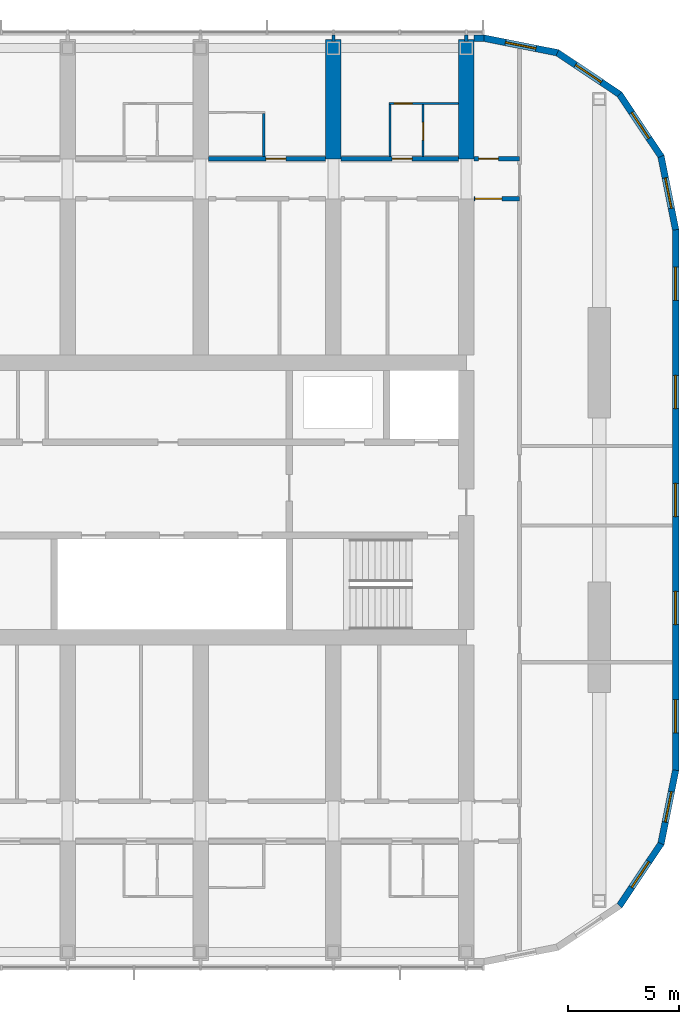
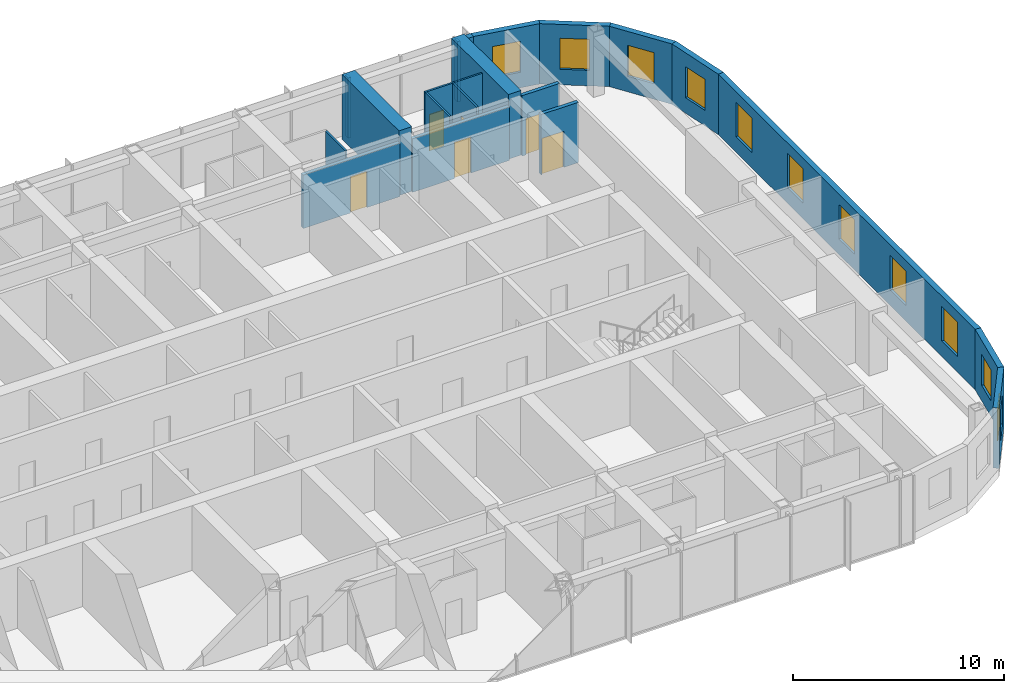
# One storey, part 19 of 26: 20 walls, 11 windows, 6 doors, 17 openings.
"""IFC4 building model written with IfcOpenShell, lengths in metres."""

import ifcopenshell
import ifcopenshell.guid

model = None  # the IFC model being written
_history = None  # IfcOwnerHistory: only IFC2X3 demands one
_inside = {}  # id of a spatial element -> (the spatial element, [elements in it])
_under = {}  # id of a project, library or spatial element -> (it, [spatial elements below it])
_declared = {}  # id of a project -> (the project, [libraries it declares])
_typed = {}  # id of a type object -> (the type object, [elements of that type])
_made_of = {}  # id of a material, layer set ... -> (it, [elements and type objects made of it])


def new_model(schema):
    """Start an empty IFC model of exactly this schema.

    Asked for "IFC4X3", IfcOpenShell would pick the latest addendum, in which some entities
    have other attributes; the version numbers below select the first issue.
    IFC2X3 requires an IfcOwnerHistory on every rooted entity: one is made here for all.
    """
    global model, _history
    if schema == "IFC4X3":
        model = ifcopenshell.file(schema_version=(4, 3, 0, 0))
    else:
        model = ifcopenshell.file(schema=schema)
    _inside.clear()
    _under.clear()
    _declared.clear()
    _typed.clear()
    _made_of.clear()
    _history = None
    if model.schema == "IFC2X3":
        org = make("IfcOrganization", Name="unknown")
        user = make(
            "IfcPersonAndOrganization",
            ThePerson=make("IfcPerson", FamilyName="unknown"),
            TheOrganization=org,
        )
        app = make(
            "IfcApplication",
            ApplicationDeveloper=org,
            Version="unknown",
            ApplicationFullName="unknown",
            ApplicationIdentifier="unknown",
        )
        _history = make(
            "IfcOwnerHistory",
            OwningUser=user,
            OwningApplication=app,
            ChangeAction="ADDED",
            CreationDate=0,
        )
    return model


def make(cls, **values):
    """One entity of the class cls with the attributes given. An attribute that is None is left unset."""
    return model.create_entity(
        cls, **{name: value for name, value in values.items() if value is not None}
    )


def rooted(cls, **values):
    """An entity with a GlobalId (a new one), such as an element, a storey or a relation."""
    return make(cls, GlobalId=ifcopenshell.guid.new(), OwnerHistory=_history, **values)


def si_unit(unit_type, name, prefix=None):
    """IfcSIUnit, for example si_unit("LENGTHUNIT", "METRE", prefix="MILLI")."""
    return make("IfcSIUnit", UnitType=unit_type, Prefix=prefix, Name=name)


def assignment(units):
    """IfcUnitAssignment: the units of a project."""
    return None if units is None else make("IfcUnitAssignment", Units=units)


def point(xyz):
    """IfcCartesianPoint."""
    return None if xyz is None else make("IfcCartesianPoint", Coordinates=xyz)


def direction(xyz):
    """IfcDirection."""
    return None if xyz is None else make("IfcDirection", DirectionRatios=xyz)


def frame(location, z_axis=None, x_axis=None):
    """IfcAxis2Placement3D, a coordinate frame: its origin and axes. An axis left out is left unset."""
    return make(
        "IfcAxis2Placement3D",
        Location=point(location),
        Axis=direction(z_axis),
        RefDirection=direction(x_axis),
    )


def frame_2d(location, x_axis=None):
    """IfcAxis2Placement2D, a coordinate frame in the plane: its origin and x axis."""
    return make(
        "IfcAxis2Placement2D", Location=point(location), RefDirection=direction(x_axis)
    )


def origin():
    """The frame at (0, 0, 0) with its axes left unset."""
    return frame((0.0, 0.0, 0.0))


def place(relative_to, where):
    """IfcLocalPlacement: puts the frame where relative to a parent placement (None: the world)."""
    return make(
        "IfcLocalPlacement", PlacementRelTo=relative_to, RelativePlacement=where
    )


def context(
    kind, dimensions, precision=None, world=None, true_north=None, identifier=None
):
    """IfcGeometricRepresentationContext, for example the 3D "Model" context."""
    return make(
        "IfcGeometricRepresentationContext",
        ContextIdentifier=identifier,
        ContextType=kind,
        CoordinateSpaceDimension=dimensions,
        Precision=precision,
        WorldCoordinateSystem=world,
        TrueNorth=true_north,
    )


def subcontext(parent, identifier, kind, view, scale=None):
    """IfcGeometricRepresentationSubContext, for example "Body" below "Model"."""
    return make(
        "IfcGeometricRepresentationSubContext",
        ContextIdentifier=identifier,
        ContextType=kind,
        ParentContext=parent,
        TargetScale=scale,
        TargetView=view,
    )


def project(units=None, contexts=None):
    """IfcProject with its units and contexts."""
    return rooted(
        "IfcProject",
        Name="project",
        RepresentationContexts=contexts,
        UnitsInContext=assignment(units),
    )


def spatial(cls, under=None, at=None, **own):
    """A site, building, storey or space (cls), placed at a placement, below another one or the project."""
    s = rooted(cls, ObjectPlacement=at, **own)
    if under is not None:
        _under.setdefault(under.id(), (under, []))[1].append(s)
    return s


def polyline(points):
    """IfcPolyline through the points."""
    return make("IfcPolyline", Points=[point(p) for p in points])


def profile(cls, at=None, kind="AREA", **sizes):
    """A parametric profile (cls). Its sizes go by their IFC names, for example OverallWidth=200.0."""
    return make(cls, ProfileType=kind, Position=at, **sizes)


def rectangle(**sizes):
    """IfcRectangleProfileDef."""
    return profile("IfcRectangleProfileDef", **sizes)


def outline(outer, holes=None, kind="AREA"):
    """IfcArbitraryClosedProfileDef: a profile drawn as a closed curve; with holes, ...WithVoids."""
    if holes is None:
        return make("IfcArbitraryClosedProfileDef", ProfileType=kind, OuterCurve=outer)
    return make(
        "IfcArbitraryProfileDefWithVoids",
        ProfileType=kind,
        OuterCurve=outer,
        InnerCurves=holes,
    )


def extrude(swept, where, along, depth):
    """IfcExtrudedAreaSolid: the profile swept, set in the frame where, extruded along a direction by depth."""
    return make(
        "IfcExtrudedAreaSolid",
        SweptArea=swept,
        Position=where,
        ExtrudedDirection=direction(along),
        Depth=depth,
    )


def shape(context_of_items, identifier, shape_type, items):
    """IfcShapeRepresentation: the items that make up one representation, for example the "Body"."""
    return make(
        "IfcShapeRepresentation",
        ContextOfItems=context_of_items,
        RepresentationIdentifier=identifier,
        RepresentationType=shape_type,
        Items=items,
    )


def material(Name=None, Category=None):
    """IfcMaterial."""
    return make("IfcMaterial", Name=Name, Category=Category)


def layer(
    of_material, thickness, ventilated=None, Name=None, Category=None, Priority=None
):
    """IfcMaterialLayer: one layer of a wall or slab, of a material (None: an air gap)."""
    return make(
        "IfcMaterialLayer",
        Material=of_material,
        LayerThickness=thickness,
        IsVentilated=ventilated,
        Name=Name,
        Category=Category,
        Priority=Priority,
    )


def layer_set(layers, Name=None):
    """IfcMaterialLayerSet."""
    return make("IfcMaterialLayerSet", MaterialLayers=layers, LayerSetName=Name)


def made_of(thing, what):
    """Note that an element or type object is made of a material, layer set ...; save() writes the relation."""
    if what is not None:
        _made_of.setdefault(what.id(), (what, []))[1].append(thing)
    return thing


def type_object(cls, material=None, **own):
    """A type object (cls), such as IfcWallType, which elements share."""
    return made_of(rooted(cls, **own), material)


def element(
    cls,
    number,
    at=None,
    inside=None,
    cuts=None,
    type_object=None,
    material=None,
    context=None,
    identifier="Body",
    shape_type=None,
    held_by="IfcProductDefinitionShape",
    body=None,
    shapes=None,
    **own,
):
    """One element of the class cls, such as IfcWall. Its Tag is "e" and its number.

    at: its placement. inside: the storey or other place that contains it. cuts: it is an
    opening in that element (IfcRelVoidsElement). A single representation is given by context,
    identifier, shape_type and body (its items); several are given by shapes. held_by: the class
    of the entity that holds the representations. save() writes the other relations.
    """
    e = rooted(cls, Tag="e%d" % number, ObjectPlacement=at, **own)
    if body is not None:
        shapes = [shape(context, identifier, shape_type, body)]
    if shapes is not None:
        e.Representation = make(held_by, Representations=shapes)
    if inside is not None:
        _inside.setdefault(inside.id(), (inside, []))[1].append(e)
    if cuts is not None:
        rooted(
            "IfcRelVoidsElement", RelatingBuildingElement=cuts, RelatedOpeningElement=e
        )
    if type_object is not None:
        _typed.setdefault(type_object.id(), (type_object, []))[1].append(e)
    return made_of(e, material)


def fill(opening, filler):
    """IfcRelFillsElement: the door or window that sits in an opening."""
    return rooted(
        "IfcRelFillsElement",
        RelatingOpeningElement=opening,
        RelatedBuildingElement=filler,
    )


def aggregate(whole, parts):
    """IfcRelAggregates: a whole, such as a stair, and the parts it consists of."""
    return rooted("IfcRelAggregates", RelatingObject=whole, RelatedObjects=parts)


def save(model, path):
    """Write the relations noted so far, then the file.

    IfcRelAggregates (storeys below a building ...), IfcRelContainedInSpatialStructure (elements
    in a storey), IfcRelDefinesByType, IfcRelAssociatesMaterial and IfcRelDeclares: one each for
    every whole, place, type object, material and project.
    """
    for whole, parts in _under.values():
        aggregate(whole, parts)
    for where, things in _inside.values():
        rooted(
            "IfcRelContainedInSpatialStructure",
            RelatedElements=things,
            RelatingStructure=where,
        )
    for kind, things in _typed.values():
        rooted("IfcRelDefinesByType", RelatedObjects=things, RelatingType=kind)
    for what, things in _made_of.values():
        rooted("IfcRelAssociatesMaterial", RelatedObjects=things, RelatingMaterial=what)
    for by, libraries in _declared.values():
        rooted("IfcRelDeclares", RelatingContext=by, RelatedDefinitions=libraries)
    model.write(path)


model = new_model("IFC4")

# Units and contexts
model_context = context("Model", 3, precision=1e-05, world=origin(), true_north=direction((0.0, 1.0)))
body_context = subcontext(model_context, "Body", "Model", "MODEL_VIEW")
ifc_project = project(units=[si_unit("LENGTHUNIT", "METRE"), si_unit("AREAUNIT", "SQUARE_METRE"), si_unit("VOLUMEUNIT", "CUBIC_METRE"), si_unit("PLANEANGLEUNIT", "RADIAN"), si_unit("MASSUNIT", "GRAM", prefix="KILO")], contexts=[model_context])

# Site, building, storey
site_placement = place(None, origin())
site = spatial("IfcSite", under=ifc_project, at=site_placement, CompositionType="ELEMENT")
building_placement = place(site_placement, origin())
building = spatial("IfcBuilding", under=site, at=building_placement, Name="Orbita Commons", CompositionType="ELEMENT")
storey_placement = place(building_placement, frame((0.0, 0.0, 231.550048828125)))
storey = spatial("IfcBuildingStorey", under=building, at=storey_placement, Name="L57", CompositionType="ELEMENT", Elevation=231.550048828125)

# Wall, opening, door
ifc_material_1 = material(Name="Concrete blockwork", Category="masonry")
ifc_layer_1 = layer(ifc_material_1, 0.199951171875)
ifc_layer_set_1 = layer_set([ifc_layer_1], Name="Concrete blockwork")
wall_type_1 = type_object("IfcWallType", Name="Corridor wall 200 blockwork", PredefinedType="SOLIDWALL", material=ifc_layer_set_1)
wall_1_placement = place(storey_placement, frame((54.35009765625, 47.39990234375, 0.0), z_axis=(0.0, 0.0, 1.0), x_axis=(1.0, 0.0, 0.0)))
wall_1 = element("IfcWall", 1, at=wall_1_placement, inside=storey, type_object=wall_type_1, Name="Corridor wall 200 blockwork L57", PredefinedType="SOLIDWALL", context=body_context, shape_type="SweptSolid", body=[
    extrude(outline(polyline([(0.0, 0.0), (5.2998046875, 0.0), (5.300048828125, 3.099853515625), (0.0, 3.099853515625), (0.0, 0.0)])), frame((0.0, 0.10009765625, 0.0), z_axis=(0.0, -1.0, 0.0), x_axis=(1.0, 0.0, 0.0)), (0.0, 0.0, 1.0), 0.199951171875),
])
opening_1_placement = place(wall_1_placement, frame((2.60009765625, 0.0, 0.0)))
opening_1 = element("IfcOpeningElement", 2, at=opening_1_placement, cuts=wall_1, Name="Opening D11", PredefinedType="OPENING", context=body_context, shape_type="SweptSolid", body=[
    extrude(rectangle(XDim=0.89990234375, YDim=2.10009765625, at=frame_2d((0.449951171875, 1.050048828125))), frame((0.0, 0.10986328125, 0.0), z_axis=(0.0, -1.0, 0.0), x_axis=(1.0, 0.0, 0.0)), (0.0, 0.0, 1.0), 0.219970703125),
])
ifc_material_2 = material(Name="Steel-faced fire door leaf", Category="steel")
door_type_1 = type_object("IfcDoorType", Name="Corridor door 20 min 900x2100", OperationType="SINGLE_SWING_LEFT", PredefinedType="DOOR", material=ifc_material_2)
door_1_placement = place(opening_1_placement, origin())
door_1 = element("IfcDoor", 3, at=door_1_placement, inside=storey, type_object=door_type_1, Name="Studio apartment with kitchenette L57-N12 door", OperationType="SINGLE_SWING_LEFT", OverallHeight=2.10009765625, OverallWidth=0.89990234375, PredefinedType="DOOR", context=body_context, shape_type="SweptSolid", body=[
    extrude(rectangle(XDim=0.89990234375, YDim=2.10009765625, at=frame_2d((0.449951171875, 1.050048828125))), frame((0.0, 0.02490234375, 0.0), z_axis=(0.0, -1.0, 0.0), x_axis=(1.0, 0.0, 0.0)), (0.0, 0.0, 1.0), 0.050048828125),
])
fill(opening_1, door_1)

wall_2_placement = place(storey_placement, frame((60.35009765625, 47.39990234375, 0.0), z_axis=(0.0, 0.0, 1.0), x_axis=(1.0, 0.0, 0.0)))
wall_2 = element("IfcWall", 4, at=wall_2_placement, inside=storey, type_object=wall_type_1, Name="Corridor wall 200 blockwork L57", PredefinedType="SOLIDWALL", context=body_context, shape_type="SweptSolid", body=[
    extrude(outline(polyline([(0.0, 0.0), (5.2998046875, 0.0), (5.300048828125, 3.099853515625), (0.0, 3.099853515625), (0.0, 0.0)])), frame((0.0, 0.10009765625, 0.0), z_axis=(0.0, -1.0, 0.0), x_axis=(1.0, 0.0, 0.0)), (0.0, 0.0, 1.0), 0.199951171875),
])
opening_2_placement = place(wall_2_placement, frame((2.300048828125, 0.0, 0.0)))
opening_2 = element("IfcOpeningElement", 5, at=opening_2_placement, cuts=wall_2, Name="Opening D11", PredefinedType="OPENING", context=body_context, shape_type="SweptSolid", body=[
    extrude(rectangle(XDim=0.89990234375, YDim=2.10009765625, at=frame_2d((0.449951171875, 1.050048828125))), frame((0.0, 0.10986328125, 0.0), z_axis=(0.0, -1.0, 0.0), x_axis=(1.0, 0.0, 0.0)), (0.0, 0.0, 1.0), 0.219970703125),
])
door_2_placement = place(opening_2_placement, origin())
door_2 = element("IfcDoor", 6, at=door_2_placement, inside=storey, type_object=door_type_1, Name="Studio flat L57-N14 entrance door", OperationType="SINGLE_SWING_LEFT", OverallHeight=2.10009765625, OverallWidth=0.89990234375, PredefinedType="DOOR", context=body_context, shape_type="SweptSolid", body=[
    extrude(rectangle(XDim=0.89990234375, YDim=2.10009765625, at=frame_2d((0.449951171875, 1.050048828125))), frame((0.0, 0.02490234375, 0.0), z_axis=(0.0, -1.0, 0.0), x_axis=(1.0, 0.0, 0.0)), (0.0, 0.0, 1.0), 0.050048828125),
])
fill(opening_2, door_2)

wall_3_placement = place(storey_placement, frame((66.35009765625, 47.39990234375, 0.0), z_axis=(0.0, 0.0, 1.0), x_axis=(1.0, 0.0, 0.0)))
wall_3 = element("IfcWall", 7, at=wall_3_placement, inside=storey, type_object=wall_type_1, Name="Corridor wall 200 blockwork L57", PredefinedType="SOLIDWALL", context=body_context, shape_type="SweptSolid", body=[
    extrude(rectangle(XDim=2.0498046875, YDim=0.199951171875, at=frame_2d((1.02490234375, 0.0))), origin(), (0.0, 0.0, 1.0), 3.5),
])
opening_3_placement = place(wall_3_placement, frame((0.199951171875, 0.0, 0.0)))
opening_3 = element("IfcOpeningElement", 8, at=opening_3_placement, cuts=wall_3, Name="Opening D05", PredefinedType="OPENING", context=body_context, shape_type="SweptSolid", body=[
    extrude(rectangle(XDim=0.89990234375, YDim=2.10009765625, at=frame_2d((0.449951171875, 1.050048828125))), frame((0.0, 0.10986328125, 0.0), z_axis=(0.0, -1.0, 0.0), x_axis=(1.0, 0.0, 0.0)), (0.0, 0.0, 1.0), 0.219970703125),
])
ifc_material_3 = material(Name="Steel-faced fire door leaf", Category="steel")
door_type_2 = type_object("IfcDoorType", Name="Service door 20 min 900x2100", OperationType="SINGLE_SWING_LEFT", PredefinedType="DOOR", material=ifc_material_3)
door_3_placement = place(opening_3_placement, origin())
door_3 = element("IfcDoor", 9, at=door_3_placement, inside=storey, type_object=door_type_2, Name="Linen store L57-KEN door", OperationType="SINGLE_SWING_LEFT", OverallHeight=2.10009765625, OverallWidth=0.89990234375, PredefinedType="DOOR", context=body_context, shape_type="SweptSolid", body=[
    extrude(rectangle(XDim=0.89990234375, YDim=2.10009765625, at=frame_2d((0.449951171875, 1.050048828125))), frame((0.0, 0.02490234375, 0.0), z_axis=(0.0, -1.0, 0.0), x_axis=(1.0, 0.0, 0.0)), (0.0, 0.0, 1.0), 0.050048828125),
])
fill(opening_3, door_3)

ifc_material_4 = material(Name="Hollow concrete block 200", Category="concrete")
ifc_layer_2 = layer(ifc_material_4, 0.199951171875)
ifc_layer_set_2 = layer_set([ifc_layer_2], Name="Hollow concrete block 200")
wall_type_2 = type_object("IfcWallType", Name="Corridor wall 200 hollow concrete block", PredefinedType="SOLIDWALL", material=ifc_layer_set_2)
wall_4_placement = place(storey_placement, frame((66.35009765625, 45.60009765625, 0.0), z_axis=(0.0, 0.0, 1.0), x_axis=(1.0, 0.0, 0.0)))
wall_4 = element("IfcWall", 10, at=wall_4_placement, inside=storey, type_object=wall_type_2, Name="Corridor wall 200 hollow concrete block L57", PredefinedType="SOLIDWALL", context=body_context, shape_type="SweptSolid", body=[
    extrude(rectangle(XDim=2.0498046875, YDim=0.199951171875, at=frame_2d((1.02490234375, 0.0))), origin(), (0.0, 0.0, 1.0), 3.5),
])
opening_4_placement = place(wall_4_placement, frame((0.050048828125, 0.0, 0.0)))
opening_4 = element("IfcOpeningElement", 11, at=opening_4_placement, cuts=wall_4, Name="Opening D12", PredefinedType="OPENING", context=body_context, shape_type="SweptSolid", body=[
    extrude(rectangle(XDim=1.199951171875, YDim=2.10009765625, at=frame_2d((0.60009765625, 1.050048828125))), frame((0.0, 0.10986328125, 0.0), z_axis=(0.0, -1.0, 0.0), x_axis=(1.0, 0.0, 0.0)), (0.0, 0.0, 1.0), 0.219970703125),
])
ifc_material_5 = material(Name="Steel-faced fire door leaf", Category="steel")
door_type_3 = type_object("IfcDoorType", Name="Double corridor door 20 min 1200x2100", OperationType="DOUBLE_DOOR_SINGLE_SWING", PredefinedType="DOOR", material=ifc_material_5)
door_4_placement = place(opening_4_placement, origin())
door_4 = element("IfcDoor", 12, at=door_4_placement, inside=storey, type_object=door_type_3, Name="Cross corridor doors", OperationType="DOUBLE_DOOR_SINGLE_SWING", OverallHeight=2.10009765625, OverallWidth=1.199951171875, PredefinedType="DOOR", context=body_context, shape_type="SweptSolid", body=[
    extrude(rectangle(XDim=1.199951171875, YDim=2.10009765625, at=frame_2d((0.60009765625, 1.050048828125))), frame((0.0, 0.02490234375, 0.0), z_axis=(0.0, -1.0, 0.0), x_axis=(1.0, 0.0, 0.0)), (0.0, 0.0, 1.0), 0.050048828125),
])
fill(opening_4, door_4)

# Walls
ifc_material_6 = material(Name="Concrete C50/60", Category="concrete")
ifc_layer_3 = layer(ifc_material_6, 0.699951171875)
ifc_layer_set_3 = layer_set([ifc_layer_3], Name="Concrete C50/60")
wall_type_3 = type_object("IfcWallType", Name="Cross wall 700 C50/60", PredefinedType="SHEAR", material=ifc_layer_set_3)
for number, where, z_axis, x_axis, name in (
    (13, (60.0, 47.39990234375, 0.0), (0.0, 0.0, 1.0), (0.0, 1.0, 0.0), "Cross wall 11 north outer L57"),
    (14, (66.0, 47.39990234375, 0.0), (0.0, 0.0, 1.0), (0.0, 1.0, 0.0), "Cross wall 12 north outer L57"),
):
    element("IfcWall", number, at=place(storey_placement, frame(where, z_axis=z_axis, x_axis=x_axis)), inside=storey, type_object=wall_type_3, Name=name, PredefinedType="SHEAR", context=body_context, shape_type="SweptSolid", body=[
        extrude(rectangle(XDim=5.400146484375, YDim=0.699951171875, at=frame_2d((2.7001953125, 0.0))), origin(), (0.0, 0.0, 1.0), 3.75),
    ])
ifc_material_7 = material(Name="Moisture-resistant plasterboard on steel studs", Category="steel")
ifc_layer_4 = layer(ifc_material_7, 0.10009765625)
ifc_layer_set_4 = layer_set([ifc_layer_4], Name="Moisture-resistant plasterboard on steel studs")
wall_type_4 = type_object("IfcWallType", Name="En-suite partition 100", PredefinedType="PARTITIONING", material=ifc_layer_set_4)
wall_5_placement = place(storey_placement, frame((56.85009765625, 49.449951171875, 0.0), z_axis=(0.0, 0.0, 1.0), x_axis=(0.0, -1.0, 0.0)))
element("IfcWall", 15, at=wall_5_placement, inside=storey, type_object=wall_type_4, Name="En-suite partition 100 L57", PredefinedType="PARTITIONING", context=body_context, shape_type="SweptSolid", body=[
    extrude(outline(polyline([(0.0, 0.0), (1.949951171875, 0.0), (1.949951171875, 3.099853515625), (1.902099609375, 3.099853515625), (1.89990234375, 3.5), (0.0, 3.5), (0.0, 0.0)])), frame((0.0, 0.050048828125, 0.0), z_axis=(0.0, -1.0, 0.0), x_axis=(1.0, 0.0, 0.0)), (0.0, 0.0, 1.0), 0.10009765625),
])

# Wall, opening, door
wall_6_placement = place(storey_placement, frame((62.5, 49.89990234375, 0.0), z_axis=(0.0, 0.0, 1.0), x_axis=(1.0, 0.0, 0.0)))
wall_6 = element("IfcWall", 16, at=wall_6_placement, inside=storey, type_object=wall_type_4, Name="En-suite partition 100 L57", PredefinedType="PARTITIONING", context=body_context, shape_type="SweptSolid", body=[
    extrude(rectangle(XDim=3.14990234375, YDim=0.10009765625, at=frame_2d((1.574951171875, 0.0))), origin(), (0.0, 0.0, 1.0), 3.5),
])
opening_5_placement = place(wall_6_placement, frame((0.25, 0.0, 0.0)))
opening_5 = element("IfcOpeningElement", 17, at=opening_5_placement, cuts=wall_6, Name="Opening D16", PredefinedType="OPENING", context=body_context, shape_type="SweptSolid", body=[
    extrude(rectangle(XDim=0.800048828125, YDim=2.10009765625, at=frame_2d((0.39990234375, 1.050048828125))), frame((0.0, 0.06005859375, 0.0), z_axis=(0.0, -1.0, 0.0), x_axis=(1.0, 0.0, 0.0)), (0.0, 0.0, 1.0), 0.1201171875),
])
ifc_material_8 = material(Name="Laminated timber door leaf", Category="wood")
door_type_4 = type_object("IfcDoorType", Name="En-suite door 800x2100", OperationType="SINGLE_SWING_RIGHT", PredefinedType="DOOR", material=ifc_material_8)
door_5_placement = place(opening_5_placement, origin())
door_5 = element("IfcDoor", 18, at=door_5_placement, inside=storey, type_object=door_type_4, Name="Studio flat L57-N14 door", OperationType="SINGLE_SWING_RIGHT", OverallHeight=2.10009765625, OverallWidth=0.800048828125, PredefinedType="DOOR", context=body_context, shape_type="SweptSolid", body=[
    extrude(rectangle(XDim=0.800048828125, YDim=2.10009765625, at=frame_2d((0.39990234375, 1.050048828125))), frame((0.0, 0.02490234375, 0.0), z_axis=(0.0, -1.0, 0.0), x_axis=(1.0, 0.0, 0.0)), (0.0, 0.0, 1.0), 0.050048828125),
])
fill(opening_5, door_5)

# Wall
wall_7_placement = place(storey_placement, frame((62.550048828125, 49.85009765625, 0.0), z_axis=(0.0, 0.0, 1.0), x_axis=(0.0, -1.0, 0.0)))
element("IfcWall", 19, at=wall_7_placement, inside=storey, type_object=wall_type_4, Name="En-suite partition 100 L57", PredefinedType="PARTITIONING", context=body_context, shape_type="SweptSolid", body=[
    extrude(outline(polyline([(0.0, 0.0), (2.35009765625, 0.0), (2.35009765625, 3.099853515625), (2.302001953125, 3.099853515625), (2.300048828125, 3.5), (0.0, 3.5), (0.0, 0.0)])), frame((0.0, 0.050048828125, 0.0), z_axis=(0.0, -1.0, 0.0), x_axis=(1.0, 0.0, 0.0)), (0.0, 0.0, 1.0), 0.10009765625),
])

# Wall, opening, door
wall_8_placement = place(storey_placement, frame((64.050048828125, 49.85009765625, 0.0), z_axis=(0.0, 0.0, 1.0), x_axis=(0.0, -1.0, 0.0)))
wall_8 = element("IfcWall", 20, at=wall_8_placement, inside=storey, type_object=wall_type_4, Name="En-suite partition 100 L57", PredefinedType="PARTITIONING", context=body_context, shape_type="SweptSolid", body=[
    extrude(outline(polyline([(0.0, 0.0), (2.35009765625, 0.0), (2.35009765625, 3.099853515625), (2.302001953125, 3.099853515625), (2.300048828125, 3.5), (0.0, 3.5), (0.0, 0.0)])), frame((0.0, 0.050048828125, 0.0), z_axis=(0.0, -1.0, 0.0), x_axis=(1.0, 0.0, 0.0)), (0.0, 0.0, 1.0), 0.10009765625),
])
opening_6_placement = place(wall_8_placement, frame((0.800048828125, 0.0, 0.0)))
opening_6 = element("IfcOpeningElement", 21, at=opening_6_placement, cuts=wall_8, Name="Opening D16", PredefinedType="OPENING", context=body_context, shape_type="SweptSolid", body=[
    extrude(rectangle(XDim=0.800048828125, YDim=2.10009765625, at=frame_2d((0.39990234375, 1.050048828125))), frame((0.0, 0.06005859375, 0.0), z_axis=(0.0, -1.0, 0.0), x_axis=(1.0, 0.0, 0.0)), (0.0, 0.0, 1.0), 0.1201171875),
])
door_6_placement = place(opening_6_placement, origin())
door_6 = element("IfcDoor", 22, at=door_6_placement, inside=storey, type_object=door_type_4, Name="Studio flat shower room L57-N14 door", OperationType="SINGLE_SWING_RIGHT", OverallHeight=2.10009765625, OverallWidth=0.800048828125, PredefinedType="DOOR", context=body_context, shape_type="SweptSolid", body=[
    extrude(rectangle(XDim=0.800048828125, YDim=2.10009765625, at=frame_2d((0.39990234375, 1.050048828125))), frame((0.0, 0.02490234375, 0.0), z_axis=(0.0, -1.0, 0.0), x_axis=(1.0, 0.0, 0.0)), (0.0, 0.0, 1.0), 0.050048828125),
])
fill(opening_6, door_6)

# Walls
ifc_material_9 = material(Name="Gypsum plasterboard on steel studs", Category="steel")
ifc_layer_5 = layer(ifc_material_9, 0.14990234375)
ifc_layer_set_5 = layer_set([ifc_layer_5], Name="Gypsum plasterboard on steel studs")
wall_type_5 = type_object("IfcWallType", Name="Partition 150 plasterboard", PredefinedType="PARTITIONING", material=ifc_layer_set_5)
for number, where, z_axis, x_axis, name in (
    (23, (60.0, 52.699951171875, 0.0), (0.0, 0.0, 1.0), (0.0, 1.0, 0.0), "Partition 150 plasterboard L57"),
    (24, (66.0, 52.699951171875, 0.0), (0.0, 0.0, 1.0), (0.0, 1.0, 0.0), "Partition 150 plasterboard L57"),
):
    element("IfcWall", number, at=place(storey_placement, frame(where, z_axis=z_axis, x_axis=x_axis)), inside=storey, type_object=wall_type_5, Name=name, PredefinedType="PARTITIONING", context=body_context, shape_type="SweptSolid", body=[
        extrude(rectangle(XDim=0.2900390625, YDim=0.14990234375, at=frame_2d((0.14501953125, 0.0))), origin(), (0.0, 0.0, 1.0), 3.5),
    ])

# Wall, openings, windows
ifc_material_10 = material(Name="Precast concrete C40/50, white board-marked finish", Category="concrete")
ifc_layer_6 = layer(ifc_material_10, 0.300048828125)
ifc_layer_set_6 = layer_set([ifc_layer_6], Name="Precast concrete C40/50, white board-marked finish")
wall_type_6 = type_object("IfcWallType", Name="Precast concrete end shield 300", PredefinedType="SOLIDWALL", material=ifc_layer_set_6)
wall_9_placement = place(storey_placement, frame((75.449951171875, 19.800048828125, 0.0), z_axis=(0.0, 0.0, 1.0), x_axis=(0.0, 1.0, 0.0)))
wall_9 = element("IfcWall", 25, at=wall_9_placement, inside=storey, type_object=wall_type_6, Name="End shield E L57", PredefinedType="SOLIDWALL", context=body_context, shape_type="SweptSolid", body=[
    extrude(outline(polyline([(-0.014892578125, -0.14990234375), (24.414794921875, -0.14990234375), (24.385009765625, 0.14990234375), (0.014892578125, 0.14990234375), (-0.014892578125, -0.14990234375)])), origin(), (0.0, 0.0, 1.0), 3.5),
])
opening_7_placement = place(wall_9_placement, frame((1.68994140625, 0.0, 0.89990234375)))
opening_7 = element("IfcOpeningElement", 26, at=opening_7_placement, cuts=wall_9, Name="Opening W01", PredefinedType="OPENING", context=body_context, shape_type="SweptSolid", body=[
    extrude(rectangle(XDim=1.5, YDim=2.0, at=frame_2d((0.75, 1.0))), frame((0.0, 0.159912109375, 0.0), z_axis=(0.0, -1.0, 0.0), x_axis=(1.0, 0.0, 0.0)), (0.0, 0.0, 1.0), 0.320068359375),
])
opening_8_placement = place(wall_9_placement, frame((6.570068359375, 0.0, 0.89990234375)))
opening_8 = element("IfcOpeningElement", 27, at=opening_8_placement, cuts=wall_9, Name="Opening W01", PredefinedType="OPENING", context=body_context, shape_type="SweptSolid", body=[
    extrude(rectangle(XDim=1.5, YDim=2.0, at=frame_2d((0.75, 1.0))), frame((0.0, 0.159912109375, 0.0), z_axis=(0.0, -1.0, 0.0), x_axis=(1.0, 0.0, 0.0)), (0.0, 0.0, 1.0), 0.320068359375),
])
opening_9_placement = place(wall_9_placement, frame((11.449951171875, 0.0, 0.89990234375)))
opening_9 = element("IfcOpeningElement", 28, at=opening_9_placement, cuts=wall_9, Name="Opening W01", PredefinedType="OPENING", context=body_context, shape_type="SweptSolid", body=[
    extrude(rectangle(XDim=1.5, YDim=2.0, at=frame_2d((0.75, 1.0))), frame((0.0, 0.159912109375, 0.0), z_axis=(0.0, -1.0, 0.0), x_axis=(1.0, 0.0, 0.0)), (0.0, 0.0, 1.0), 0.320068359375),
])
opening_10_placement = place(wall_9_placement, frame((16.330078125, 0.0, 0.89990234375)))
opening_10 = element("IfcOpeningElement", 29, at=opening_10_placement, cuts=wall_9, Name="Opening W01", PredefinedType="OPENING", context=body_context, shape_type="SweptSolid", body=[
    extrude(rectangle(XDim=1.5, YDim=2.0, at=frame_2d((0.75, 1.0))), frame((0.0, 0.159912109375, 0.0), z_axis=(0.0, -1.0, 0.0), x_axis=(1.0, 0.0, 0.0)), (0.0, 0.0, 1.0), 0.320068359375),
])
opening_11_placement = place(wall_9_placement, frame((21.2099609375, 0.0, 0.89990234375)))
opening_11 = element("IfcOpeningElement", 30, at=opening_11_placement, cuts=wall_9, Name="Opening W01", PredefinedType="OPENING", context=body_context, shape_type="SweptSolid", body=[
    extrude(rectangle(XDim=1.5, YDim=2.0, at=frame_2d((0.75, 1.0))), frame((0.0, 0.159912109375, 0.0), z_axis=(0.0, -1.0, 0.0), x_axis=(1.0, 0.0, 0.0)), (0.0, 0.0, 1.0), 0.320068359375),
])
ifc_material_11 = material(Name="Aluminium frame, clear double glazing", Category="aluminium")
window_type_1 = type_object("IfcWindowType", Name="Deep-set window 1500x2000", PartitioningType="SINGLE_PANEL", PredefinedType="WINDOW", material=ifc_material_11)
window_1_placement = place(opening_7_placement, origin())
window_1 = element("IfcWindow", 31, at=window_1_placement, inside=storey, type_object=window_type_1, Name="Window L57-E 1", OverallHeight=2.0, OverallWidth=1.5, PartitioningType="SINGLE_PANEL", PredefinedType="WINDOW", context=body_context, shape_type="SweptSolid", body=[
    extrude(rectangle(XDim=1.5, YDim=2.0, at=frame_2d((0.75, 1.0))), frame((0.0, 0.030029296875, 0.0), z_axis=(0.0, -1.0, 0.0), x_axis=(1.0, 0.0, 0.0)), (0.0, 0.0, 1.0), 0.06005859375),
])
fill(opening_7, window_1)
window_2_placement = place(opening_8_placement, origin())
window_2 = element("IfcWindow", 32, at=window_2_placement, inside=storey, type_object=window_type_1, Name="Window L57-E 2", OverallHeight=2.0, OverallWidth=1.5, PartitioningType="SINGLE_PANEL", PredefinedType="WINDOW", context=body_context, shape_type="SweptSolid", body=[
    extrude(rectangle(XDim=1.5, YDim=2.0, at=frame_2d((0.75, 1.0))), frame((0.0, 0.030029296875, 0.0), z_axis=(0.0, -1.0, 0.0), x_axis=(1.0, 0.0, 0.0)), (0.0, 0.0, 1.0), 0.06005859375),
])
fill(opening_8, window_2)
window_3_placement = place(opening_9_placement, origin())
window_3 = element("IfcWindow", 33, at=window_3_placement, inside=storey, type_object=window_type_1, Name="Window L57-E 3", OverallHeight=2.0, OverallWidth=1.5, PartitioningType="SINGLE_PANEL", PredefinedType="WINDOW", context=body_context, shape_type="SweptSolid", body=[
    extrude(rectangle(XDim=1.5, YDim=2.0, at=frame_2d((0.75, 1.0))), frame((0.0, 0.030029296875, 0.0), z_axis=(0.0, -1.0, 0.0), x_axis=(1.0, 0.0, 0.0)), (0.0, 0.0, 1.0), 0.06005859375),
])
fill(opening_9, window_3)
window_4_placement = place(opening_10_placement, origin())
window_4 = element("IfcWindow", 34, at=window_4_placement, inside=storey, type_object=window_type_1, Name="Window L57-E 4", OverallHeight=2.0, OverallWidth=1.5, PartitioningType="SINGLE_PANEL", PredefinedType="WINDOW", context=body_context, shape_type="SweptSolid", body=[
    extrude(rectangle(XDim=1.5, YDim=2.0, at=frame_2d((0.75, 1.0))), frame((0.0, 0.030029296875, 0.0), z_axis=(0.0, -1.0, 0.0), x_axis=(1.0, 0.0, 0.0)), (0.0, 0.0, 1.0), 0.06005859375),
])
fill(opening_10, window_4)
window_5_placement = place(opening_11_placement, origin())
window_5 = element("IfcWindow", 35, at=window_5_placement, inside=storey, type_object=window_type_1, Name="Window L57-E 5", OverallHeight=2.0, OverallWidth=1.5, PartitioningType="SINGLE_PANEL", PredefinedType="WINDOW", context=body_context, shape_type="SweptSolid", body=[
    extrude(rectangle(XDim=1.5, YDim=2.0, at=frame_2d((0.75, 1.0))), frame((0.0, 0.030029296875, 0.0), z_axis=(0.0, -1.0, 0.0), x_axis=(1.0, 0.0, 0.0)), (0.0, 0.0, 1.0), 0.06005859375),
])
fill(opening_11, window_5)

# Wall, opening, window
wall_10_placement = place(storey_placement, frame((72.91650390625, 13.68359375, 0.0), z_axis=(0.0, 0.0, 1.0), x_axis=(0.555567969291, 0.831471124873, 0.0)))
wall_10 = element("IfcWall", 36, at=wall_10_placement, inside=storey, type_object=wall_type_6, Name="End shield SE chord 3 L57", PredefinedType="SOLIDWALL", context=body_context, shape_type="SweptSolid", body=[
    extrude(outline(polyline([(-0.02978515625, -0.14990234375), (3.40478515625, -0.14990234375), (3.34521484375, 0.14990234375), (0.02978515625, 0.14990234375), (-0.02978515625, -0.14990234375)])), origin(), (0.0, 0.0, 1.0), 3.5),
])
opening_12_placement = place(wall_10_placement, frame((0.987548828125, 0.0, 0.89990234375)))
opening_12 = element("IfcOpeningElement", 37, at=opening_12_placement, cuts=wall_10, Name="Opening W02", PredefinedType="OPENING", context=body_context, shape_type="SweptSolid", body=[
    extrude(rectangle(XDim=1.39990234375, YDim=1.800048828125, at=frame_2d((0.699951171875, 0.89990234375))), frame((0.0, 0.159912109375, 0.0), z_axis=(0.0, -1.0, 0.0), x_axis=(1.0, 0.0, 0.0)), (0.0, 0.0, 1.0), 0.320068359375),
])
ifc_material_12 = material(Name="Aluminium frame, clear double glazing", Category="aluminium")
window_type_2 = type_object("IfcWindowType", Name="Deep-set window 1400x1800", PartitioningType="SINGLE_PANEL", PredefinedType="WINDOW", material=ifc_material_12)
window_6_placement = place(opening_12_placement, origin())
window_6 = element("IfcWindow", 38, at=window_6_placement, inside=storey, type_object=window_type_2, Name="Window L57-SE2", OverallHeight=1.800048828125, OverallWidth=1.39990234375, PartitioningType="SINGLE_PANEL", PredefinedType="WINDOW", context=body_context, shape_type="SweptSolid", body=[
    extrude(rectangle(XDim=1.39990234375, YDim=1.800048828125, at=frame_2d((0.699951171875, 0.89990234375))), frame((0.0, 0.030029296875, 0.0), z_axis=(0.0, -1.0, 0.0), x_axis=(1.0, 0.0, 0.0)), (0.0, 0.0, 1.0), 0.06005859375),
])
fill(opening_12, window_6)

wall_11_placement = place(storey_placement, frame((74.79150390625, 16.48974609375, 0.0), z_axis=(0.0, 0.0, 1.0), x_axis=(0.19508664885, 0.980786011034, 0.0)))
wall_11 = element("IfcWall", 39, at=wall_11_placement, inside=storey, type_object=wall_type_6, Name="End shield SE chord 4 L57", PredefinedType="SOLIDWALL", context=body_context, shape_type="SweptSolid", body=[
    extrude(outline(polyline([(-0.02978515625, -0.14990234375), (3.39013671875, -0.14990234375), (3.3603515625, 0.14990234375), (0.02978515625, 0.14990234375), (-0.02978515625, -0.14990234375)])), origin(), (0.0, 0.0, 1.0), 3.5),
])
opening_13_placement = place(wall_11_placement, frame((0.987548828125, 0.0, 0.89990234375)))
opening_13 = element("IfcOpeningElement", 40, at=opening_13_placement, cuts=wall_11, Name="Opening W02", PredefinedType="OPENING", context=body_context, shape_type="SweptSolid", body=[
    extrude(rectangle(XDim=1.39990234375, YDim=1.800048828125, at=frame_2d((0.699951171875, 0.89990234375))), frame((0.0, 0.159912109375, 0.0), z_axis=(0.0, -1.0, 0.0), x_axis=(1.0, 0.0, 0.0)), (0.0, 0.0, 1.0), 0.320068359375),
])
window_7_placement = place(opening_13_placement, origin())
window_7 = element("IfcWindow", 41, at=window_7_placement, inside=storey, type_object=window_type_2, Name="Window L57-SE3", OverallHeight=1.800048828125, OverallWidth=1.39990234375, PartitioningType="SINGLE_PANEL", PredefinedType="WINDOW", context=body_context, shape_type="SweptSolid", body=[
    extrude(rectangle(XDim=1.39990234375, YDim=1.800048828125, at=frame_2d((0.699951171875, 0.89990234375))), frame((0.0, 0.030029296875, 0.0), z_axis=(0.0, -1.0, 0.0), x_axis=(1.0, 0.0, 0.0)), (0.0, 0.0, 1.0), 0.06005859375),
])
fill(opening_13, window_7)

wall_12_placement = place(storey_placement, frame((75.449951171875, 44.199951171875, 0.0), z_axis=(0.0, 0.0, 1.0), x_axis=(-0.19508664885, 0.980786011034, 0.0)))
wall_12 = element("IfcWall", 42, at=wall_12_placement, inside=storey, type_object=wall_type_6, Name="End shield NE chord 1 L57", PredefinedType="SOLIDWALL", context=body_context, shape_type="SweptSolid", body=[
    extrude(outline(polyline([(-0.014892578125, -0.14990234375), (3.405029296875, -0.14990234375), (3.345458984375, 0.14990234375), (0.014892578125, 0.14990234375), (-0.014892578125, -0.14990234375)])), origin(), (0.0, 0.0, 1.0), 3.5),
])
opening_14_placement = place(wall_12_placement, frame((0.987548828125, 0.0, 0.89990234375)))
opening_14 = element("IfcOpeningElement", 43, at=opening_14_placement, cuts=wall_12, Name="Opening W02", PredefinedType="OPENING", context=body_context, shape_type="SweptSolid", body=[
    extrude(rectangle(XDim=1.39990234375, YDim=1.800048828125, at=frame_2d((0.699951171875, 0.89990234375))), frame((0.0, 0.159912109375, 0.0), z_axis=(0.0, -1.0, 0.0), x_axis=(1.0, 0.0, 0.0)), (0.0, 0.0, 1.0), 0.320068359375),
])
window_8_placement = place(opening_14_placement, origin())
window_8 = element("IfcWindow", 44, at=window_8_placement, inside=storey, type_object=window_type_2, Name="Window L57-NE0", OverallHeight=1.800048828125, OverallWidth=1.39990234375, PartitioningType="SINGLE_PANEL", PredefinedType="WINDOW", context=body_context, shape_type="SweptSolid", body=[
    extrude(rectangle(XDim=1.39990234375, YDim=1.800048828125, at=frame_2d((0.699951171875, 0.89990234375))), frame((0.0, 0.030029296875, 0.0), z_axis=(0.0, -1.0, 0.0), x_axis=(1.0, 0.0, 0.0)), (0.0, 0.0, 1.0), 0.06005859375),
])
fill(opening_14, window_8)

wall_13_placement = place(storey_placement, frame((74.79150390625, 47.51025390625, 0.0), z_axis=(0.0, 0.0, 1.0), x_axis=(-0.555567969291, 0.831471124873, 0.0)))
wall_13 = element("IfcWall", 45, at=wall_13_placement, inside=storey, type_object=wall_type_6, Name="End shield NE chord 2 L57", PredefinedType="SOLIDWALL", context=body_context, shape_type="SweptSolid", body=[
    extrude(outline(polyline([(-0.02978515625, -0.14990234375), (3.40478515625, -0.14990234375), (3.34521484375, 0.14990234375), (0.02978515625, 0.14990234375), (-0.02978515625, -0.14990234375)])), origin(), (0.0, 0.0, 1.0), 3.5),
])
opening_15_placement = place(wall_13_placement, frame((0.987548828125, 0.0, 0.89990234375)))
opening_15 = element("IfcOpeningElement", 46, at=opening_15_placement, cuts=wall_13, Name="Opening W02", PredefinedType="OPENING", context=body_context, shape_type="SweptSolid", body=[
    extrude(rectangle(XDim=1.39990234375, YDim=1.800048828125, at=frame_2d((0.699951171875, 0.89990234375))), frame((0.0, 0.159912109375, 0.0), z_axis=(0.0, -1.0, 0.0), x_axis=(1.0, 0.0, 0.0)), (0.0, 0.0, 1.0), 0.320068359375),
])
window_9_placement = place(opening_15_placement, origin())
window_9 = element("IfcWindow", 47, at=window_9_placement, inside=storey, type_object=window_type_2, Name="Window L57-NE1", OverallHeight=1.800048828125, OverallWidth=1.39990234375, PartitioningType="SINGLE_PANEL", PredefinedType="WINDOW", context=body_context, shape_type="SweptSolid", body=[
    extrude(rectangle(XDim=1.39990234375, YDim=1.800048828125, at=frame_2d((0.699951171875, 0.89990234375))), frame((0.0, 0.030029296875, 0.0), z_axis=(0.0, -1.0, 0.0), x_axis=(1.0, 0.0, 0.0)), (0.0, 0.0, 1.0), 0.06005859375),
])
fill(opening_15, window_9)

wall_14_placement = place(storey_placement, frame((72.91650390625, 50.31640625, 0.0), z_axis=(0.0, 0.0, 1.0), x_axis=(-0.831460037396, 0.555584562613, 0.0)))
wall_14 = element("IfcWall", 48, at=wall_14_placement, inside=storey, type_object=wall_type_6, Name="End shield NE chord 3 L57", PredefinedType="SOLIDWALL", context=body_context, shape_type="SweptSolid", body=[
    extrude(outline(polyline([(-0.02978515625, -0.14990234375), (3.405029296875, -0.14990234375), (3.345458984375, 0.14990234375), (0.02978515625, 0.14990234375), (-0.02978515625, -0.14990234375)])), origin(), (0.0, 0.0, 1.0), 3.5),
])
opening_16_placement = place(wall_14_placement, frame((0.987548828125, 0.0, 0.89990234375)))
opening_16 = element("IfcOpeningElement", 49, at=opening_16_placement, cuts=wall_14, Name="Opening W02", PredefinedType="OPENING", context=body_context, shape_type="SweptSolid", body=[
    extrude(rectangle(XDim=1.39990234375, YDim=1.800048828125, at=frame_2d((0.699951171875, 0.89990234375))), frame((0.0, 0.159912109375, 0.0), z_axis=(0.0, -1.0, 0.0), x_axis=(1.0, 0.0, 0.0)), (0.0, 0.0, 1.0), 0.320068359375),
])
window_10_placement = place(opening_16_placement, origin())
window_10 = element("IfcWindow", 50, at=window_10_placement, inside=storey, type_object=window_type_2, Name="Window L57-NE2", OverallHeight=1.800048828125, OverallWidth=1.39990234375, PartitioningType="SINGLE_PANEL", PredefinedType="WINDOW", context=body_context, shape_type="SweptSolid", body=[
    extrude(rectangle(XDim=1.39990234375, YDim=1.800048828125, at=frame_2d((0.699951171875, 0.89990234375))), frame((0.0, 0.030029296875, 0.0), z_axis=(0.0, -1.0, 0.0), x_axis=(1.0, 0.0, 0.0)), (0.0, 0.0, 1.0), 0.06005859375),
])
fill(opening_16, window_10)

wall_15_placement = place(storey_placement, frame((70.110107421875, 52.191650390625, 0.0), z_axis=(0.0, 0.0, 1.0), x_axis=(-0.98078325777, 0.195100490205, 0.0)))
wall_15 = element("IfcWall", 51, at=wall_15_placement, inside=storey, type_object=wall_type_6, Name="End shield NE chord 4 L57", PredefinedType="SOLIDWALL", context=body_context, shape_type="SweptSolid", body=[
    extrude(outline(polyline([(-0.02978515625, -0.14990234375), (3.40478515625, -0.14990234375), (3.34521484375, 0.14990234375), (0.02978515625, 0.14990234375), (-0.02978515625, -0.14990234375)])), origin(), (0.0, 0.0, 1.0), 3.5),
])
opening_17_placement = place(wall_15_placement, frame((0.987548828125, 0.0, 0.89990234375)))
opening_17 = element("IfcOpeningElement", 52, at=opening_17_placement, cuts=wall_15, Name="Opening W02", PredefinedType="OPENING", context=body_context, shape_type="SweptSolid", body=[
    extrude(rectangle(XDim=1.39990234375, YDim=1.800048828125, at=frame_2d((0.699951171875, 0.89990234375))), frame((0.0, 0.159912109375, 0.0), z_axis=(0.0, -1.0, 0.0), x_axis=(1.0, 0.0, 0.0)), (0.0, 0.0, 1.0), 0.320068359375),
])
window_11_placement = place(opening_17_placement, origin())
window_11 = element("IfcWindow", 53, at=window_11_placement, inside=storey, type_object=window_type_2, Name="Window L57-NE3", OverallHeight=1.800048828125, OverallWidth=1.39990234375, PartitioningType="SINGLE_PANEL", PredefinedType="WINDOW", context=body_context, shape_type="SweptSolid", body=[
    extrude(rectangle(XDim=1.39990234375, YDim=1.800048828125, at=frame_2d((0.699951171875, 0.89990234375))), frame((0.0, 0.030029296875, 0.0), z_axis=(0.0, -1.0, 0.0), x_axis=(1.0, 0.0, 0.0)), (0.0, 0.0, 1.0), 0.06005859375),
])
fill(opening_17, window_11)

# Wall
wall_16_placement = place(storey_placement, frame((66.800048828125, 52.85009765625, 0.0), z_axis=(0.0, 0.0, 1.0), x_axis=(-1.0, 0.0, 0.0)))
element("IfcWall", 54, at=wall_16_placement, inside=storey, type_object=wall_type_6, Name="End shield NE closer L57", PredefinedType="SOLIDWALL", context=body_context, shape_type="SweptSolid", body=[
    extrude(rectangle(XDim=0.449951171875, YDim=0.300048828125, at=frame_2d((0.22509765625, 0.0))), origin(), (0.0, 0.0, 1.0), 3.5),
])

save(model, "model.ifc")
